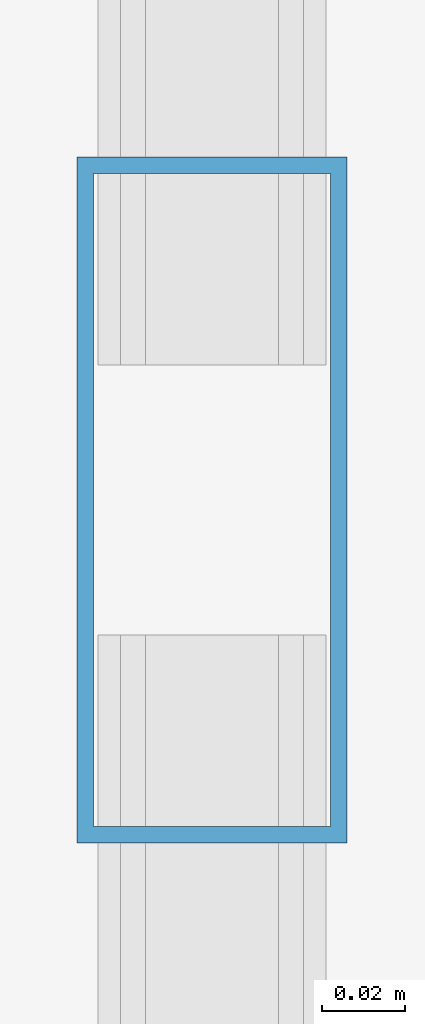
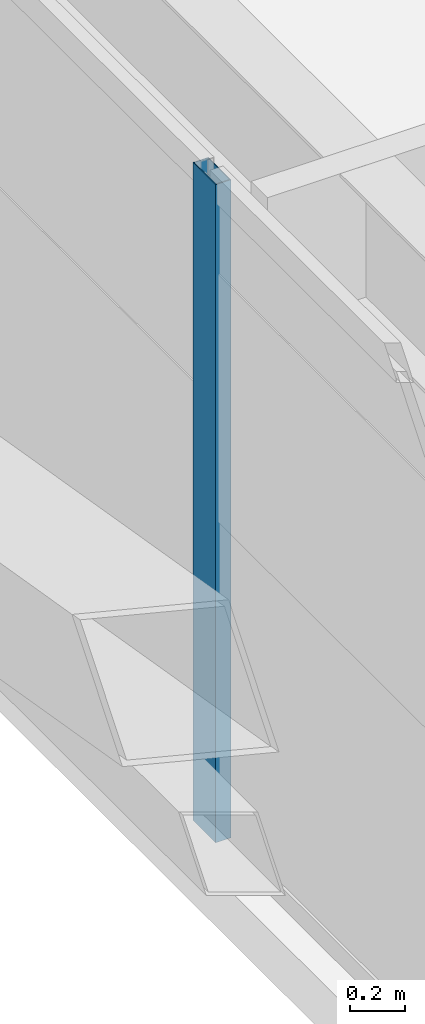
# One storey, part 8 of 58: 1 member, 1 element without a shape of its own.
"""IFC4 building model written with IfcOpenShell, lengths in metres."""

import ifcopenshell
import ifcopenshell.guid

model = None  # the IFC model being written
_history = None  # IfcOwnerHistory: only IFC2X3 demands one
_inside = {}  # id of a spatial element -> (the spatial element, [elements in it])
_under = {}  # id of a project, library or spatial element -> (it, [spatial elements below it])
_declared = {}  # id of a project -> (the project, [libraries it declares])
_typed = {}  # id of a type object -> (the type object, [elements of that type])
_made_of = {}  # id of a material, layer set ... -> (it, [elements and type objects made of it])


def new_model(schema):
    """Start an empty IFC model of exactly this schema.

    Asked for "IFC4X3", IfcOpenShell would pick the latest addendum, in which some entities
    have other attributes; the version numbers below select the first issue.
    IFC2X3 requires an IfcOwnerHistory on every rooted entity: one is made here for all.
    """
    global model, _history
    if schema == "IFC4X3":
        model = ifcopenshell.file(schema_version=(4, 3, 0, 0))
    else:
        model = ifcopenshell.file(schema=schema)
    _inside.clear()
    _under.clear()
    _declared.clear()
    _typed.clear()
    _made_of.clear()
    _history = None
    if model.schema == "IFC2X3":
        org = make("IfcOrganization", Name="unknown")
        user = make(
            "IfcPersonAndOrganization",
            ThePerson=make("IfcPerson", FamilyName="unknown"),
            TheOrganization=org,
        )
        app = make(
            "IfcApplication",
            ApplicationDeveloper=org,
            Version="unknown",
            ApplicationFullName="unknown",
            ApplicationIdentifier="unknown",
        )
        _history = make(
            "IfcOwnerHistory",
            OwningUser=user,
            OwningApplication=app,
            ChangeAction="ADDED",
            CreationDate=0,
        )
    return model


def make(cls, **values):
    """One entity of the class cls with the attributes given. An attribute that is None is left unset."""
    return model.create_entity(
        cls, **{name: value for name, value in values.items() if value is not None}
    )


def rooted(cls, **values):
    """An entity with a GlobalId (a new one), such as an element, a storey or a relation."""
    return make(cls, GlobalId=ifcopenshell.guid.new(), OwnerHistory=_history, **values)


def si_unit(unit_type, name, prefix=None):
    """IfcSIUnit, for example si_unit("LENGTHUNIT", "METRE", prefix="MILLI")."""
    return make("IfcSIUnit", UnitType=unit_type, Prefix=prefix, Name=name)


def assignment(units):
    """IfcUnitAssignment: the units of a project."""
    return None if units is None else make("IfcUnitAssignment", Units=units)


def point(xyz):
    """IfcCartesianPoint."""
    return None if xyz is None else make("IfcCartesianPoint", Coordinates=xyz)


def direction(xyz):
    """IfcDirection."""
    return None if xyz is None else make("IfcDirection", DirectionRatios=xyz)


def frame(location, z_axis=None, x_axis=None):
    """IfcAxis2Placement3D, a coordinate frame: its origin and axes. An axis left out is left unset."""
    return make(
        "IfcAxis2Placement3D",
        Location=point(location),
        Axis=direction(z_axis),
        RefDirection=direction(x_axis),
    )


def frame_2d(location, x_axis=None):
    """IfcAxis2Placement2D, a coordinate frame in the plane: its origin and x axis."""
    return make(
        "IfcAxis2Placement2D", Location=point(location), RefDirection=direction(x_axis)
    )


def origin():
    """The frame at (0, 0, 0) with its axes left unset."""
    return frame((0.0, 0.0, 0.0))


def origin_2d():
    """The frame at (0, 0) in the plane with its x axis left unset."""
    return frame_2d((0.0, 0.0))


def place(relative_to, where):
    """IfcLocalPlacement: puts the frame where relative to a parent placement (None: the world)."""
    return make(
        "IfcLocalPlacement", PlacementRelTo=relative_to, RelativePlacement=where
    )


def context(
    kind, dimensions, precision=None, world=None, true_north=None, identifier=None
):
    """IfcGeometricRepresentationContext, for example the 3D "Model" context."""
    return make(
        "IfcGeometricRepresentationContext",
        ContextIdentifier=identifier,
        ContextType=kind,
        CoordinateSpaceDimension=dimensions,
        Precision=precision,
        WorldCoordinateSystem=world,
        TrueNorth=true_north,
    )


def subcontext(parent, identifier, kind, view, scale=None):
    """IfcGeometricRepresentationSubContext, for example "Body" below "Model"."""
    return make(
        "IfcGeometricRepresentationSubContext",
        ContextIdentifier=identifier,
        ContextType=kind,
        ParentContext=parent,
        TargetScale=scale,
        TargetView=view,
    )


def project(units=None, contexts=None):
    """IfcProject with its units and contexts."""
    return rooted(
        "IfcProject",
        Name="project",
        RepresentationContexts=contexts,
        UnitsInContext=assignment(units),
    )


def spatial(cls, under=None, at=None, **own):
    """A site, building, storey or space (cls), placed at a placement, below another one or the project."""
    s = rooted(cls, ObjectPlacement=at, **own)
    if under is not None:
        _under.setdefault(under.id(), (under, []))[1].append(s)
    return s


def profile(cls, at=None, kind="AREA", **sizes):
    """A parametric profile (cls). Its sizes go by their IFC names, for example OverallWidth=200.0."""
    return make(cls, ProfileType=kind, Position=at, **sizes)


def hollow_rectangle(**sizes):
    """IfcRectangleHollowProfileDef."""
    return profile("IfcRectangleHollowProfileDef", **sizes)


def extrude(swept, where, along, depth):
    """IfcExtrudedAreaSolid: the profile swept, set in the frame where, extruded along a direction by depth."""
    return make(
        "IfcExtrudedAreaSolid",
        SweptArea=swept,
        Position=where,
        ExtrudedDirection=direction(along),
        Depth=depth,
    )


def shape(context_of_items, identifier, shape_type, items):
    """IfcShapeRepresentation: the items that make up one representation, for example the "Body"."""
    return make(
        "IfcShapeRepresentation",
        ContextOfItems=context_of_items,
        RepresentationIdentifier=identifier,
        RepresentationType=shape_type,
        Items=items,
    )


def source(mapping_origin, context_of_items, identifier, shape_type, items):
    """IfcRepresentationMap: a shape defined once, which mapped items show again and again."""
    return make(
        "IfcRepresentationMap",
        MappingOrigin=mapping_origin,
        MappedRepresentation=shape(context_of_items, identifier, shape_type, items),
    )


def transform(
    local_origin,
    x_axis=None,
    y_axis=None,
    z_axis=None,
    scale=None,
    scale2=None,
    scale3=None,
    uniform=True,
):
    """IfcCartesianTransformationOperator3D, or its non-uniform kind. x_axis, y_axis, z_axis: its Axis1, 2, 3."""
    if uniform:
        return make(
            "IfcCartesianTransformationOperator3D",
            Axis1=direction(x_axis),
            Axis2=direction(y_axis),
            LocalOrigin=point(local_origin),
            Scale=scale,
            Axis3=direction(z_axis),
        )
    return make(
        "IfcCartesianTransformationOperator3DnonUniform",
        Axis1=direction(x_axis),
        Axis2=direction(y_axis),
        LocalOrigin=point(local_origin),
        Scale=scale,
        Axis3=direction(z_axis),
        Scale2=scale2,
        Scale3=scale3,
    )


def mapped(mapping_source, mapping_target):
    """IfcMappedItem: shows the shape of a source again, moved by a transform."""
    return make(
        "IfcMappedItem", MappingSource=mapping_source, MappingTarget=mapping_target
    )


def material(Name=None, Category=None):
    """IfcMaterial."""
    return make("IfcMaterial", Name=Name, Category=Category)


def layer(
    of_material, thickness, ventilated=None, Name=None, Category=None, Priority=None
):
    """IfcMaterialLayer: one layer of a wall or slab, of a material (None: an air gap)."""
    return make(
        "IfcMaterialLayer",
        Material=of_material,
        LayerThickness=thickness,
        IsVentilated=ventilated,
        Name=Name,
        Category=Category,
        Priority=Priority,
    )


def layer_set(layers, Name=None):
    """IfcMaterialLayerSet."""
    return make("IfcMaterialLayerSet", MaterialLayers=layers, LayerSetName=Name)


def material_profile(
    of_material, cross_section, Name=None, Category=None, Priority=None
):
    """IfcMaterialProfile: a cross section and its material."""
    return make(
        "IfcMaterialProfile",
        Name=Name,
        Material=of_material,
        Profile=cross_section,
        Priority=Priority,
        Category=Category,
    )


def profile_set(profiles, Name=None, composite=None):
    """IfcMaterialProfileSet."""
    return make(
        "IfcMaterialProfileSet",
        Name=Name,
        MaterialProfiles=profiles,
        CompositeProfile=composite,
    )


def made_of(thing, what):
    """Note that an element or type object is made of a material, layer set ...; save() writes the relation."""
    if what is not None:
        _made_of.setdefault(what.id(), (what, []))[1].append(thing)
    return thing


def type_object(cls, material=None, **own):
    """A type object (cls), such as IfcWallType, which elements share."""
    return made_of(rooted(cls, **own), material)


def element(
    cls,
    number,
    at=None,
    inside=None,
    cuts=None,
    type_object=None,
    material=None,
    context=None,
    identifier="Body",
    shape_type=None,
    held_by="IfcProductDefinitionShape",
    body=None,
    shapes=None,
    **own,
):
    """One element of the class cls, such as IfcWall. Its Tag is "e" and its number.

    at: its placement. inside: the storey or other place that contains it. cuts: it is an
    opening in that element (IfcRelVoidsElement). A single representation is given by context,
    identifier, shape_type and body (its items); several are given by shapes. held_by: the class
    of the entity that holds the representations. save() writes the other relations.
    """
    e = rooted(cls, Tag="e%d" % number, ObjectPlacement=at, **own)
    if body is not None:
        shapes = [shape(context, identifier, shape_type, body)]
    if shapes is not None:
        e.Representation = make(held_by, Representations=shapes)
    if inside is not None:
        _inside.setdefault(inside.id(), (inside, []))[1].append(e)
    if cuts is not None:
        rooted(
            "IfcRelVoidsElement", RelatingBuildingElement=cuts, RelatedOpeningElement=e
        )
    if type_object is not None:
        _typed.setdefault(type_object.id(), (type_object, []))[1].append(e)
    return made_of(e, material)


def aggregate(whole, parts):
    """IfcRelAggregates: a whole, such as a stair, and the parts it consists of."""
    return rooted("IfcRelAggregates", RelatingObject=whole, RelatedObjects=parts)


def save(model, path):
    """Write the relations noted so far, then the file.

    IfcRelAggregates (storeys below a building ...), IfcRelContainedInSpatialStructure (elements
    in a storey), IfcRelDefinesByType, IfcRelAssociatesMaterial and IfcRelDeclares: one each for
    every whole, place, type object, material and project.
    """
    for whole, parts in _under.values():
        aggregate(whole, parts)
    for where, things in _inside.values():
        rooted(
            "IfcRelContainedInSpatialStructure",
            RelatedElements=things,
            RelatingStructure=where,
        )
    for kind, things in _typed.values():
        rooted("IfcRelDefinesByType", RelatedObjects=things, RelatingType=kind)
    for what, things in _made_of.values():
        rooted("IfcRelAssociatesMaterial", RelatedObjects=things, RelatingMaterial=what)
    for by, libraries in _declared.values():
        rooted("IfcRelDeclares", RelatingContext=by, RelatedDefinitions=libraries)
    model.write(path)


model = new_model("IFC4")

# Units and contexts
model_context = context("Model", 3, precision=1e-05, world=origin(), true_north=direction((0.0, 1.0)))
body_context = subcontext(model_context, "Body", "Model", "MODEL_VIEW")
ifc_project = project(units=[si_unit("LENGTHUNIT", "METRE"), si_unit("AREAUNIT", "SQUARE_METRE"), si_unit("VOLUMEUNIT", "CUBIC_METRE"), si_unit("PLANEANGLEUNIT", "RADIAN"), si_unit("MASSUNIT", "GRAM", prefix="KILO")], contexts=[model_context])

# Site, building, storey
site_placement = place(None, origin())
site = spatial("IfcSite", under=ifc_project, at=site_placement, CompositionType="ELEMENT")
building_placement = place(site_placement, origin())
building = spatial("IfcBuilding", under=site, at=building_placement, Name="Taldren Reach Tower", CompositionType="ELEMENT")
storey_placement = place(building_placement, frame((0.0, 0.0, 32.550048828125)))
storey = spatial("IfcBuildingStorey", under=building, at=storey_placement, Name="L09", CompositionType="ELEMENT", Elevation=32.550048828125)

# Curtain wall, member
ifc_material_1 = material(Name="Aluminium and Low-E Glass Unitised System", Category="aluminium")
ifc_layer = layer(ifc_material_1, 0.159912109375)
ifc_layer_set = layer_set([ifc_layer], Name="Aluminium and Low-E Glass Unitised System")
curtain_wall_type = type_object("IfcCurtainWallType", Name="CW-SYS-2", PredefinedType="NOTDEFINED", material=ifc_layer_set)
curtain_wall_placement = place(storey_placement, origin())
curtain_wall = element("IfcCurtainWall", 1, at=curtain_wall_placement, inside=storey, type_object=curtain_wall_type, Name="Unitised curtain wall CW-L09-W", PredefinedType="NOTDEFINED")
ifc_material_2 = material(Name="Anodised Aluminium 6063-T6", Category="aluminium")
ifc_material_profile = material_profile(ifc_material_2, hollow_rectangle(XDim=0.06494140625, YDim=0.1650390625, WallThickness=0.00390625, at=origin_2d()), Name="ALU-165x65x4RHS")
ifc_profile_set = profile_set([ifc_material_profile], Name="Anodised Aluminium 6063-T6")
member_type = type_object("IfcMemberType", Name="CW-MUL-165", PredefinedType="MULLION", material=ifc_profile_set)
shared_shape = source(origin(), body_context, "Body", "SweptSolid", [
    extrude(hollow_rectangle(XDim=0.06494140625, YDim=0.1650390625, WallThickness=0.00390625, at=origin_2d()), origin(), (0.0, 0.0, 1.0), 2.929931640625),
])
member_placement = place(storey_placement, frame((5.139892578125, 11.388916015625, 0.0), z_axis=(0.0, 0.0, 1.0), x_axis=(1.0, 0.0, 0.0)))
member = element("IfcMember", 2, at=member_placement, type_object=member_type, Name="CW-2 mullion 8", PredefinedType="MULLION", context=body_context, shape_type="MappedRepresentation", body=[
    mapped(shared_shape, transform((0.0, 0.0, 0.0), scale=1.0)),
])
aggregate(curtain_wall, [member])

save(model, "model.ifc")
